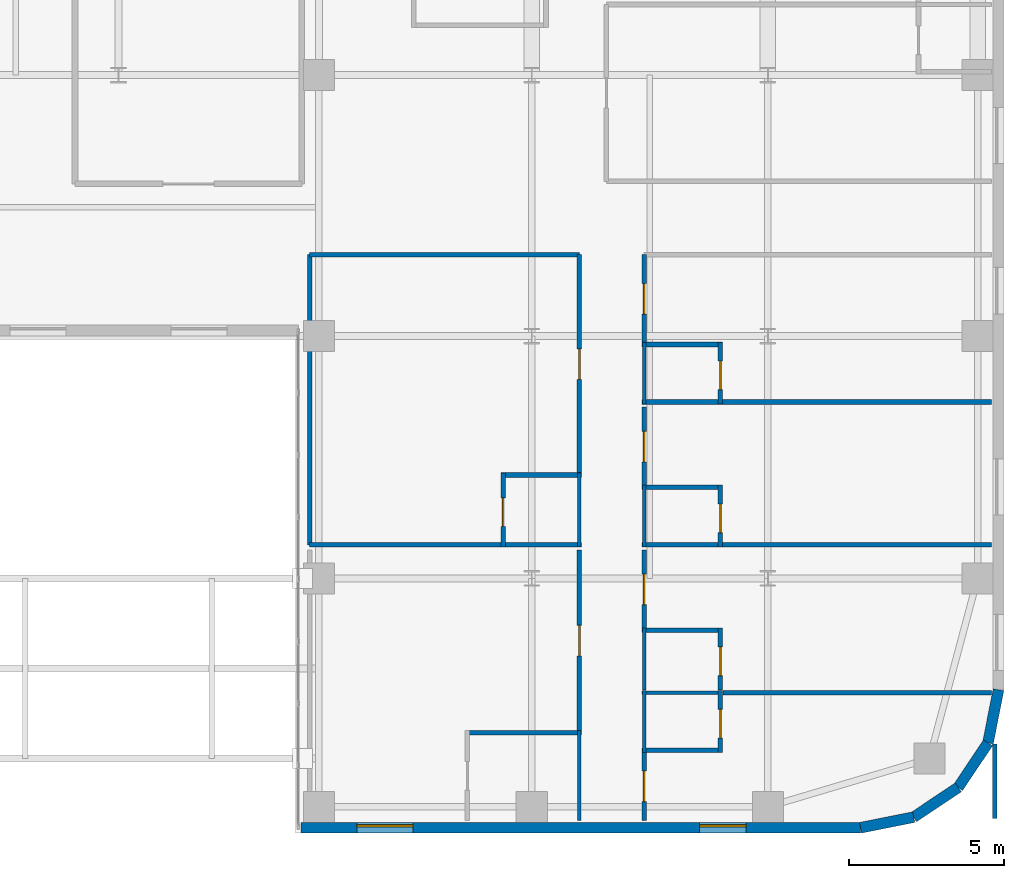
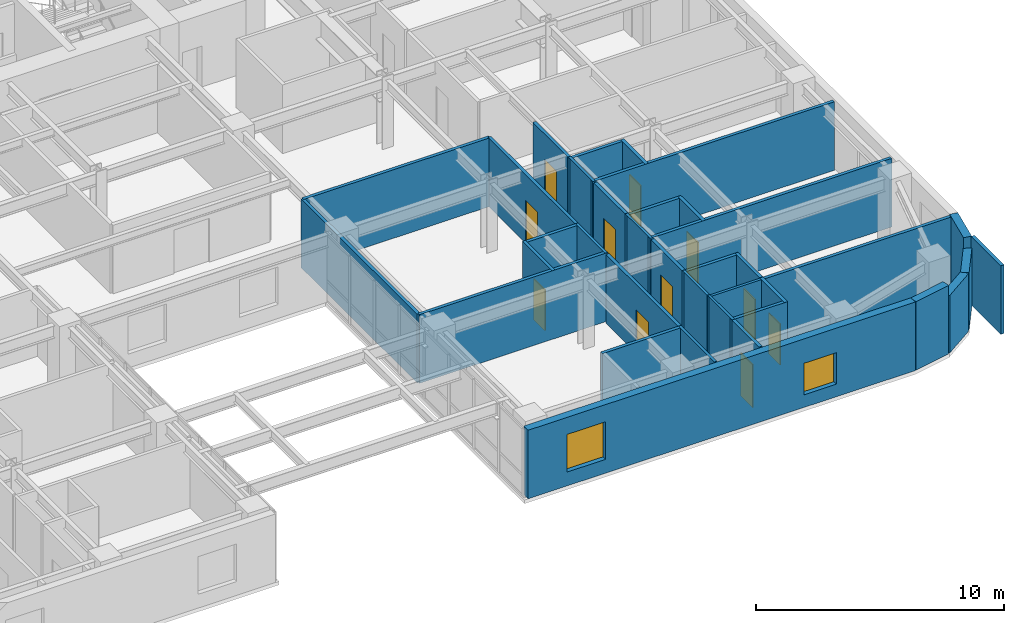
# One storey, part 12 of 16: 36 walls, 11 doors, 2 windows, 13 openings.
"""IFC4 building model written with IfcOpenShell, lengths in metres."""

from ifc_helpers import new_model, si_unit, direction, frame, frame_2d, origin, place, context, subcontext, project, spatial, rectangle, extrude, source, transform, mapped, material, layer, layer_set, type_object, type_shapes, element, fill, save


model = new_model("IFC4")

# Units and contexts
model_context = context("Model", 3, precision=1e-05, world=origin(), true_north=direction((0.0, 1.0)))
body_context = subcontext(model_context, "Body", "Model", "MODEL_VIEW")
ifc_project = project(units=[si_unit("LENGTHUNIT", "METRE"), si_unit("AREAUNIT", "SQUARE_METRE"), si_unit("VOLUMEUNIT", "CUBIC_METRE"), si_unit("PLANEANGLEUNIT", "RADIAN"), si_unit("MASSUNIT", "GRAM", prefix="KILO")], contexts=[model_context])

# Site, building, storey
site_placement = place(None, origin())
site = spatial("IfcSite", under=ifc_project, at=site_placement, CompositionType="ELEMENT")
building_placement = place(site_placement, origin())
building = spatial("IfcBuilding", under=site, at=building_placement, Name="Tolvann Quenvar Hotel", CompositionType="ELEMENT")
storey_placement = place(building_placement, frame((0.0, 0.0, 71.050048828125)))
storey = spatial("IfcBuildingStorey", under=building, at=storey_placement, Name="L17", CompositionType="ELEMENT", Elevation=71.050048828125)

# Wall, openings, windows
ifc_material_1 = material(Name="Kiln-fired red and buff architectural clay brickwork and terracotta masonry", Category="masonry")
ifc_layer_1 = layer(ifc_material_1, 0.35009765625)
ifc_layer_set_1 = layer_set([ifc_layer_1], Name="Kiln-fired red and buff architectural clay brickwork and terracotta masonry")
wall_type_1 = type_object("IfcWallType", Name="WALL_EXT_BRICK_350", PredefinedType="SOLIDWALL", material=ifc_layer_set_1)
wall_1_placement = place(storey_placement, frame((34.375, 0.175048828125, 0.0), z_axis=(0.0, 0.0, 1.0), x_axis=(1.0, 0.0, 0.0)))
wall_1 = element("IfcWall", 1, at=wall_1_placement, inside=storey, type_object=wall_type_1, Name="Exterior Chicago Brick Wall L17-E08", PredefinedType="SOLIDWALL", context=body_context, shape_type="SweptSolid", body=[
    extrude(rectangle(XDim=18.0078125, YDim=0.35009765625, at=frame_2d((9.00390625, 0.0))), origin(), (0.0, 0.0, 1.0), 3.369873046875),
])
opening_1_placement = place(wall_1_placement, frame((1.801025390625, 0.0, 0.679931640625)))
opening_1 = element("IfcOpeningElement", 2, at=opening_1_placement, cuts=wall_1, Name="Opening W-03", PredefinedType="OPENING", context=body_context, shape_type="SweptSolid", body=[
    extrude(rectangle(XDim=1.800048828125, YDim=1.85009765625, at=frame_2d((0.89990234375, 0.925048828125))), frame((0.0, 0.18505859375, 0.0), z_axis=(0.0, -1.0, 0.0), x_axis=(1.0, 0.0, 0.0)), (0.0, 0.0, 1.0), 0.3701171875),
])
opening_2_placement = place(wall_1_placement, frame((12.824951171875, 0.0, 0.6201171875)))
opening_2 = element("IfcOpeningElement", 3, at=opening_2_placement, cuts=wall_1, Name="Opening W-08", PredefinedType="OPENING", context=body_context, shape_type="SweptSolid", body=[
    extrude(rectangle(XDim=1.5, YDim=1.550048828125, at=frame_2d((0.75, 0.77490234375))), frame((0.0, 0.18505859375, 0.0), z_axis=(0.0, -1.0, 0.0), x_axis=(1.0, 0.0, 0.0)), (0.0, 0.0, 1.0), 0.3701171875),
])
ifc_material_2 = material(Name="Thermally broken bronze-anodised aluminium frame with double low-E glazing", Category="aluminium")
window_type_1 = type_object("IfcWindowType", Name="WIN_COR_1500x2050", PartitioningType="SINGLE_PANEL", PredefinedType="WINDOW", material=ifc_material_2)
shared_shape_1 = source(origin(), body_context, "Body", "SweptSolid", [
    extrude(rectangle(XDim=1.5, YDim=1.550048828125, at=frame_2d((0.75, 0.77490234375))), frame((0.0, 0.090087890625, 0.0), z_axis=(0.0, -1.0, 0.0), x_axis=(1.0, 0.0, 0.0)), (0.0, 0.0, 1.0), 0.06005859375),
])
type_shapes(window_type_1, [shared_shape_1])
window_1_placement = place(opening_2_placement, origin())
window_1 = element("IfcWindow", 4, at=window_1_placement, inside=storey, type_object=window_type_1, Name="Chicago Window W-08 (EW-L17-E08-WD02)", OverallHeight=1.550048828125, OverallWidth=1.5, PartitioningType="SINGLE_PANEL", PredefinedType="WINDOW", context=body_context, shape_type="MappedRepresentation", body=[
    mapped(shared_shape_1, transform((0.0, 0.0, 0.0), x_axis=(1.0, 0.0, 0.0), y_axis=(0.0, 1.0, 0.0), z_axis=(0.0, 0.0, 1.0), scale=1.0)),
])
fill(opening_2, window_1)
window_type_2 = type_object("IfcWindowType", Name="WIN_CHI_1800x2050", PartitioningType="TRIPLE_PANEL_HORIZONTAL", PredefinedType="WINDOW", material=ifc_material_2)
shared_shape_2 = source(origin(), body_context, "Body", "SweptSolid", [
    extrude(rectangle(XDim=1.800048828125, YDim=1.85009765625, at=frame_2d((0.89990234375, 0.925048828125))), frame((0.0, 0.090087890625, 0.0), z_axis=(0.0, -1.0, 0.0), x_axis=(1.0, 0.0, 0.0)), (0.0, 0.0, 1.0), 0.06005859375),
])
type_shapes(window_type_2, [shared_shape_2])
window_2_placement = place(opening_1_placement, origin())
window_2 = element("IfcWindow", 5, at=window_2_placement, inside=storey, type_object=window_type_2, Name="Chicago Window W-03 (EW-L17-E08-W01)", OverallHeight=1.85009765625, OverallWidth=1.800048828125, PartitioningType="TRIPLE_PANEL_HORIZONTAL", PredefinedType="WINDOW", context=body_context, shape_type="MappedRepresentation", body=[
    mapped(shared_shape_2, transform((0.0, 0.0, 0.0), x_axis=(1.0, 0.0, 0.0), y_axis=(0.0, 1.0, 0.0), z_axis=(0.0, 0.0, 1.0), scale=1.0)),
])
fill(opening_1, window_2)

# Walls
wall_2_placement = place(storey_placement, frame((52.3828125, 0.175048828125, 0.0), z_axis=(0.0, 0.0, 1.0), x_axis=(0.980800971659, 0.195011420161, 0.0)))
element("IfcWall", 6, at=wall_2_placement, inside=storey, type_object=wall_type_1, Name="Exterior Chicago Brick Wall L17-E09", PredefinedType="SOLIDWALL", context=body_context, shape_type="SweptSolid", body=[
    extrude(rectangle(XDim=1.74267578125, YDim=0.35009765625, at=frame_2d((0.871337890625, 0.0))), origin(), (0.0, 0.0, 1.0), 3.369873046875),
])
for number, where, z_axis, x_axis, name in (
    (7, (54.092041015625, 0.514892578125, 0.0), (0.0, 0.0, 1.0), (0.831483840845, 0.55554893791, 0.0), "Exterior Chicago Brick Wall L17-E10"),
    (8, (55.526611328125, 1.473388671875, 0.0), (0.0, 0.0, 1.0), (0.55554893791, 0.831483840845, 0.0), "Exterior Chicago Brick Wall L17-E11"),
):
    element("IfcWall", number, at=place(storey_placement, frame(where, z_axis=z_axis, x_axis=x_axis)), inside=storey, type_object=wall_type_1, Name=name, PredefinedType="SOLIDWALL", context=body_context, shape_type="SweptSolid", body=[
        extrude(rectangle(XDim=1.725341796875, YDim=0.35009765625, at=frame_2d((0.86279296875, 0.0))), origin(), (0.0, 0.0, 1.0), 2.83203125),
    ])
wall_3_placement = place(storey_placement, frame((56.485107421875, 2.907958984375, 0.0), z_axis=(0.0, 0.0, 1.0), x_axis=(0.195011420161, 0.980800971659, 0.0)))
element("IfcWall", 9, at=wall_3_placement, inside=storey, type_object=wall_type_1, Name="Exterior Chicago Brick Wall L17-E12", PredefinedType="SOLIDWALL", context=body_context, shape_type="SweptSolid", body=[
    extrude(rectangle(XDim=1.74267578125, YDim=0.35009765625, at=frame_2d((0.871337890625, 0.0))), origin(), (0.0, 0.0, 1.0), 3.369873046875),
])
ifc_material_3 = material(Name="Moisture-resistant acoustic plumbing wall assembly")
ifc_layer_2 = layer(ifc_material_3, 0.1201171875)
ifc_layer_set_2 = layer_set([ifc_layer_2], Name="Moisture-resistant acoustic plumbing wall assembly")
wall_type_2 = type_object("IfcWallType", Name="WALL_PART_BATH_120", PredefinedType="PLUMBINGWALL", material=ifc_layer_set_2)
wall_4_placement = place(storey_placement, frame((43.330078125, 0.405029296875, 0.0), z_axis=(0.0, 0.0, 1.0), x_axis=(0.0, 1.0, 0.0)))
element("IfcWall", 10, at=wall_4_placement, inside=storey, type_object=wall_type_2, Name="Non-Rated Plumbing Partition PT-SPC-L17-ENS-EI01-E", PredefinedType="PLUMBINGWALL", context=body_context, shape_type="SweptSolid", body=[
    extrude(rectangle(XDim=2.89501953125, YDim=0.1201171875, at=frame_2d((1.447509765625, 0.0))), origin(), (0.0, 0.0, 1.0), 3.369873046875),
])
wall_5_placement = place(storey_placement, frame((43.330078125, 9.2099609375, 0.0), z_axis=(0.0, 0.0, 1.0), x_axis=(0.0, 1.0, 0.0)))
element("IfcWall", 11, at=wall_5_placement, inside=storey, type_object=wall_type_2, Name="Non-Rated Plumbing Partition PT-SPC-L17-ENS-EI02-E", PredefinedType="PLUMBINGWALL", context=body_context, shape_type="SweptSolid", body=[
    extrude(rectangle(XDim=2.39013671875, YDim=0.1201171875, at=frame_2d((1.195068359375, 0.0))), origin(), (0.0, 0.0, 1.0), 3.369873046875),
])
wall_6_placement = place(storey_placement, frame((45.35009765625, 4.52001953125, 0.0), z_axis=(0.0, 0.0, 1.0), x_axis=(1.0, 0.0, 0.0)))
element("IfcWall", 12, at=wall_6_placement, inside=storey, type_object=wall_type_2, Name="Non-Rated Plumbing Partition PT-SPC-L17-ENS-EO01-N", PredefinedType="PLUMBINGWALL", context=body_context, shape_type="SweptSolid", body=[
    extrude(rectangle(XDim=2.58984375, YDim=0.1201171875, at=frame_2d((1.294921875, 0.0))), origin(), (0.0, 0.0, 1.0), 3.369873046875),
])
for number, where, z_axis, x_axis, name in (
    (13, (45.419921875, 2.60009765625, 0.0), (0.0, 0.0, 1.0), (0.0, 1.0, 0.0), "Non-Rated Plumbing Partition PT-SPC-L17-ENS-EO01-W"),
    (14, (45.419921875, 4.610107421875, 0.0), (0.0, 0.0, 1.0), (0.0, 1.0, 0.0), "Non-Rated Plumbing Partition PT-SPC-L17-ENS-EO02-W"),
    (15, (45.419921875, 9.2099609375, 0.0), (0.0, 0.0, 1.0), (0.0, 1.0, 0.0), "Non-Rated Plumbing Partition PT-SPC-L17-ENS-EO03-W"),
    (16, (45.419921875, 13.81005859375, 0.0), (0.0, 0.0, 1.0), (0.0, 1.0, 0.0), "Non-Rated Plumbing Partition PT-SPC-L17-ENS-EO04-W"),
):
    element("IfcWall", number, at=place(storey_placement, frame(where, z_axis=z_axis, x_axis=x_axis)), inside=storey, type_object=wall_type_2, Name=name, PredefinedType="PLUMBINGWALL", context=body_context, shape_type="SweptSolid", body=[
        extrude(rectangle(XDim=1.989990234375, YDim=0.1201171875, at=frame_2d((0.9951171875, 0.0))), origin(), (0.0, 0.0, 1.0), 3.369873046875),
    ])
ifc_material_4 = material(Name="Acoustic twin-stud fire-rated gypsum plasterboard partition")
ifc_layer_3 = layer(ifc_material_4, 0.14990234375)
ifc_layer_set_3 = layer_set([ifc_layer_3], Name="Acoustic twin-stud fire-rated gypsum plasterboard partition")
wall_type_3 = type_object("IfcWallType", Name="WALL_PART_SUITE_150", PredefinedType="PARTITIONING", material=ifc_layer_set_3)
wall_7_placement = place(storey_placement, frame((39.659912109375, 3.22998046875, 0.0), z_axis=(0.0, 0.0, 1.0), x_axis=(1.0, 0.0, 0.0)))
element("IfcWall", 17, at=wall_7_placement, inside=storey, type_object=wall_type_3, Name="Interior Partition PT-SPC-L17-ENS-EI01-N", PredefinedType="PARTITIONING", context=body_context, shape_type="SweptSolid", body=[
    extrude(rectangle(XDim=3.739990234375, YDim=0.14990234375, at=frame_2d((1.8701171875, 0.0))), origin(), (0.0, 0.0, 1.0), 3.369873046875),
])

# Wall, opening, door
wall_8_placement = place(storey_placement, frame((40.8798828125, 9.2099609375, 0.0), z_axis=(0.0, 0.0, 1.0), x_axis=(0.0, 1.0, 0.0)))
wall_8 = element("IfcWall", 18, at=wall_8_placement, inside=storey, type_object=wall_type_3, Name="Interior Partition PT-SPC-L17-ENS-EI02-ENT", PredefinedType="PARTITIONING", context=body_context, shape_type="SweptSolid", body=[
    extrude(rectangle(XDim=2.39013671875, YDim=0.14990234375, at=frame_2d((1.195068359375, 0.0))), origin(), (0.0, 0.0, 1.0), 3.369873046875),
])
opening_3_placement = place(wall_8_placement, frame((0.6650390625, 0.0, 0.0)))
opening_3 = element("IfcOpeningElement", 19, at=opening_3_placement, cuts=wall_8, Name="Opening WD-01", PredefinedType="OPENING", context=body_context, shape_type="SweptSolid", body=[
    extrude(rectangle(XDim=0.919921875, YDim=2.010009765625, at=frame_2d((0.4599609375, 1.0048828125))), frame((0.0, 0.0849609375, 0.0), z_axis=(0.0, -1.0, 0.0), x_axis=(1.0, 0.0, 0.0)), (0.0, 0.0, 1.0), 0.169921875),
])
ifc_material_5 = material(Name="Solid-core American oak acoustic fire door leaf in steel frame", Category="steel")
door_type_1 = type_object("IfcDoorType", Name="DOOR_WC_920", OperationType="NOTDEFINED", PredefinedType="DOOR", material=ifc_material_5)
shared_shape_3 = source(origin(), body_context, "Body", "SweptSolid", [
    extrude(rectangle(XDim=0.919921875, YDim=2.010009765625, at=frame_2d((0.4599609375, 1.0048828125))), frame((0.0, 0.02490234375, 0.0), z_axis=(0.0, -1.0, 0.0), x_axis=(1.0, 0.0, 0.0)), (0.0, 0.0, 1.0), 0.050048828125),
])
type_shapes(door_type_1, [shared_shape_3])
door_1_placement = place(opening_3_placement, origin())
door_1 = element("IfcDoor", 20, at=door_1_placement, inside=storey, type_object=door_type_1, Name="Interior Door DOOR-SPC-L17-ENS-EI02", OperationType="SINGLE_SWING_RIGHT", OverallHeight=2.010009765625, OverallWidth=0.919921875, PredefinedType="DOOR", context=body_context, shape_type="MappedRepresentation", body=[
    mapped(shared_shape_3, transform((0.0, 0.0, 0.0), x_axis=(1.0, 0.0, 0.0), y_axis=(0.0, 1.0, 0.0), z_axis=(0.0, 0.0, 1.0), scale=1.0)),
])
fill(opening_3, door_1)

# Walls
wall_9_placement = place(storey_placement, frame((34.64990234375, 9.280029296875, 0.0), z_axis=(0.0, 0.0, 1.0), x_axis=(1.0, 0.0, 0.0)))
element("IfcWall", 21, at=wall_9_placement, inside=storey, type_object=wall_type_3, Name="Interior Partition PT-SPC-L17-ENS-EI02-S", PredefinedType="PARTITIONING", context=body_context, shape_type="SweptSolid", body=[
    extrude(rectangle(XDim=8.75, YDim=0.14990234375, at=frame_2d((4.375, 0.0))), origin(), (0.0, 0.0, 1.0), 3.369873046875),
])
wall_10_placement = place(storey_placement, frame((40.81005859375, 11.530029296875, 0.0), z_axis=(0.0, 0.0, 1.0), x_axis=(1.0, 0.0, 0.0)))
element("IfcWall", 22, at=wall_10_placement, inside=storey, type_object=wall_type_3, Name="Interior Partition PT-SPC-L17-ENS-EI02-N", PredefinedType="PARTITIONING", context=body_context, shape_type="SweptSolid", body=[
    extrude(rectangle(XDim=2.58984375, YDim=0.14990234375, at=frame_2d((1.294921875, 0.0))), origin(), (0.0, 0.0, 1.0), 3.369873046875),
])

# Wall, opening, door
wall_11_placement = place(storey_placement, frame((47.8701171875, 2.60009765625, 0.0), z_axis=(0.0, 0.0, 1.0), x_axis=(0.0, 1.0, 0.0)))
wall_11 = element("IfcWall", 23, at=wall_11_placement, inside=storey, type_object=wall_type_3, Name="Interior Partition PT-SPC-L17-ENS-EO01-ENT", PredefinedType="PARTITIONING", context=body_context, shape_type="SweptSolid", body=[
    extrude(rectangle(XDim=1.989990234375, YDim=0.14990234375, at=frame_2d((0.9951171875, 0.0))), origin(), (0.0, 0.0, 1.0), 3.369873046875),
])
opening_4_placement = place(wall_11_placement, frame((0.465087890625, 0.0, 0.0)))
opening_4 = element("IfcOpeningElement", 24, at=opening_4_placement, cuts=wall_11, Name="Opening WD-01", PredefinedType="OPENING", context=body_context, shape_type="SweptSolid", body=[
    extrude(rectangle(XDim=0.919921875, YDim=2.010009765625, at=frame_2d((0.4599609375, 1.0048828125))), frame((0.0, 0.0849609375, 0.0), z_axis=(0.0, -1.0, 0.0), x_axis=(1.0, 0.0, 0.0)), (0.0, 0.0, 1.0), 0.169921875),
])
door_2_placement = place(opening_4_placement, origin())
door_2 = element("IfcDoor", 25, at=door_2_placement, inside=storey, type_object=door_type_1, Name="Interior Door DOOR-SPC-L17-ENS-EO01", OperationType="SINGLE_SWING_LEFT", OverallHeight=2.010009765625, OverallWidth=0.919921875, PredefinedType="DOOR", context=body_context, shape_type="MappedRepresentation", body=[
    mapped(shared_shape_3, transform((0.0, 0.0, 0.0), x_axis=(1.0, 0.0, 0.0), y_axis=(0.0, 1.0, 0.0), z_axis=(0.0, 0.0, 1.0), scale=1.0)),
])
fill(opening_4, door_2)

# Wall
wall_12_placement = place(storey_placement, frame((45.35009765625, 2.669921875, 0.0), z_axis=(0.0, 0.0, 1.0), x_axis=(1.0, 0.0, 0.0)))
element("IfcWall", 26, at=wall_12_placement, inside=storey, type_object=wall_type_3, Name="Interior Partition PT-SPC-L17-ENS-EO01-S", PredefinedType="PARTITIONING", context=body_context, shape_type="SweptSolid", body=[
    extrude(rectangle(XDim=2.58984375, YDim=0.14990234375, at=frame_2d((1.294921875, 0.0))), origin(), (0.0, 0.0, 1.0), 3.369873046875),
])

# Wall, opening, door
wall_13_placement = place(storey_placement, frame((47.8701171875, 4.610107421875, 0.0), z_axis=(0.0, 0.0, 1.0), x_axis=(0.0, 1.0, 0.0)))
wall_13 = element("IfcWall", 27, at=wall_13_placement, inside=storey, type_object=wall_type_3, Name="Interior Partition PT-SPC-L17-ENS-EO02-ENT", PredefinedType="PARTITIONING", context=body_context, shape_type="SweptSolid", body=[
    extrude(rectangle(XDim=1.989990234375, YDim=0.14990234375, at=frame_2d((0.9951171875, 0.0))), origin(), (0.0, 0.0, 1.0), 3.369873046875),
])
opening_5_placement = place(wall_13_placement, frame((0.465087890625, 0.0, 0.0)))
opening_5 = element("IfcOpeningElement", 28, at=opening_5_placement, cuts=wall_13, Name="Opening WD-01", PredefinedType="OPENING", context=body_context, shape_type="SweptSolid", body=[
    extrude(rectangle(XDim=0.919921875, YDim=2.010009765625, at=frame_2d((0.4599609375, 1.0048828125))), frame((0.0, 0.0849609375, 0.0), z_axis=(0.0, -1.0, 0.0), x_axis=(1.0, 0.0, 0.0)), (0.0, 0.0, 1.0), 0.169921875),
])
door_3_placement = place(opening_5_placement, origin())
door_3 = element("IfcDoor", 29, at=door_3_placement, inside=storey, type_object=door_type_1, Name="Interior Door DOOR-SPC-L17-ENS-EO02", OperationType="SINGLE_SWING_RIGHT", OverallHeight=2.010009765625, OverallWidth=0.919921875, PredefinedType="DOOR", context=body_context, shape_type="MappedRepresentation", body=[
    mapped(shared_shape_3, transform((0.0, 0.0, 0.0), x_axis=(1.0, 0.0, 0.0), y_axis=(0.0, 1.0, 0.0), z_axis=(0.0, 0.0, 1.0), scale=1.0)),
])
fill(opening_5, door_3)

# Wall
wall_14_placement = place(storey_placement, frame((45.35009765625, 6.530029296875, 0.0), z_axis=(0.0, 0.0, 1.0), x_axis=(1.0, 0.0, 0.0)))
element("IfcWall", 30, at=wall_14_placement, inside=storey, type_object=wall_type_3, Name="Interior Partition PT-SPC-L17-ENS-EO02-N", PredefinedType="PARTITIONING", context=body_context, shape_type="SweptSolid", body=[
    extrude(rectangle(XDim=2.58984375, YDim=0.14990234375, at=frame_2d((1.294921875, 0.0))), origin(), (0.0, 0.0, 1.0), 3.369873046875),
])

# Wall, opening, door
wall_15_placement = place(storey_placement, frame((47.8701171875, 9.2099609375, 0.0), z_axis=(0.0, 0.0, 1.0), x_axis=(0.0, 1.0, 0.0)))
wall_15 = element("IfcWall", 31, at=wall_15_placement, inside=storey, type_object=wall_type_3, Name="Interior Partition PT-SPC-L17-ENS-EO03-ENT", PredefinedType="PARTITIONING", context=body_context, shape_type="SweptSolid", body=[
    extrude(rectangle(XDim=1.989990234375, YDim=0.14990234375, at=frame_2d((0.9951171875, 0.0))), origin(), (0.0, 0.0, 1.0), 3.369873046875),
])
opening_6_placement = place(wall_15_placement, frame((0.465087890625, 0.0, 0.0)))
opening_6 = element("IfcOpeningElement", 32, at=opening_6_placement, cuts=wall_15, Name="Opening WD-01", PredefinedType="OPENING", context=body_context, shape_type="SweptSolid", body=[
    extrude(rectangle(XDim=0.919921875, YDim=2.010009765625, at=frame_2d((0.4599609375, 1.0048828125))), frame((0.0, 0.0849609375, 0.0), z_axis=(0.0, -1.0, 0.0), x_axis=(1.0, 0.0, 0.0)), (0.0, 0.0, 1.0), 0.169921875),
])
door_4_placement = place(opening_6_placement, origin())
door_4 = element("IfcDoor", 33, at=door_4_placement, inside=storey, type_object=door_type_1, Name="Interior Door DOOR-SPC-L17-ENS-EO03", OperationType="SINGLE_SWING_LEFT", OverallHeight=2.010009765625, OverallWidth=0.919921875, PredefinedType="DOOR", context=body_context, shape_type="MappedRepresentation", body=[
    mapped(shared_shape_3, transform((0.0, 0.0, 0.0), x_axis=(1.0, 0.0, 0.0), y_axis=(0.0, 1.0, 0.0), z_axis=(0.0, 0.0, 1.0), scale=1.0)),
])
fill(opening_6, door_4)

# Walls
wall_16_placement = place(storey_placement, frame((45.35009765625, 9.280029296875, 0.0), z_axis=(0.0, 0.0, 1.0), x_axis=(1.0, 0.0, 0.0)))
element("IfcWall", 34, at=wall_16_placement, inside=storey, type_object=wall_type_3, Name="Interior Partition PT-SPC-L17-ENS-EO03-S", PredefinedType="PARTITIONING", context=body_context, shape_type="SweptSolid", body=[
    extrude(rectangle(XDim=11.244873046875, YDim=0.14990234375, at=frame_2d((5.62255859375, 0.0))), origin(), (0.0, 0.0, 1.0), 3.369873046875),
])
wall_17_placement = place(storey_placement, frame((45.35009765625, 11.1298828125, 0.0), z_axis=(0.0, 0.0, 1.0), x_axis=(1.0, 0.0, 0.0)))
element("IfcWall", 35, at=wall_17_placement, inside=storey, type_object=wall_type_3, Name="Interior Partition PT-SPC-L17-ENS-EO03-N", PredefinedType="PARTITIONING", context=body_context, shape_type="SweptSolid", body=[
    extrude(rectangle(XDim=2.58984375, YDim=0.14990234375, at=frame_2d((1.294921875, 0.0))), origin(), (0.0, 0.0, 1.0), 3.369873046875),
])

# Wall, opening, door
wall_18_placement = place(storey_placement, frame((47.8701171875, 13.81005859375, 0.0), z_axis=(0.0, 0.0, 1.0), x_axis=(0.0, 1.0, 0.0)))
wall_18 = element("IfcWall", 36, at=wall_18_placement, inside=storey, type_object=wall_type_3, Name="Interior Partition PT-SPC-L17-ENS-EO04-ENT", PredefinedType="PARTITIONING", context=body_context, shape_type="SweptSolid", body=[
    extrude(rectangle(XDim=1.989990234375, YDim=0.14990234375, at=frame_2d((0.9951171875, 0.0))), origin(), (0.0, 0.0, 1.0), 3.369873046875),
])
opening_7_placement = place(wall_18_placement, frame((0.465087890625, 0.0, 0.0)))
opening_7 = element("IfcOpeningElement", 37, at=opening_7_placement, cuts=wall_18, Name="Opening WD-01", PredefinedType="OPENING", context=body_context, shape_type="SweptSolid", body=[
    extrude(rectangle(XDim=0.919921875, YDim=2.010009765625, at=frame_2d((0.4599609375, 1.0048828125))), frame((0.0, 0.0849609375, 0.0), z_axis=(0.0, -1.0, 0.0), x_axis=(1.0, 0.0, 0.0)), (0.0, 0.0, 1.0), 0.169921875),
])
door_5_placement = place(opening_7_placement, origin())
door_5 = element("IfcDoor", 38, at=door_5_placement, inside=storey, type_object=door_type_1, Name="Interior Door DOOR-SPC-L17-ENS-EO04", OperationType="SINGLE_SWING_RIGHT", OverallHeight=2.010009765625, OverallWidth=0.919921875, PredefinedType="DOOR", context=body_context, shape_type="MappedRepresentation", body=[
    mapped(shared_shape_3, transform((0.0, 0.0, 0.0), x_axis=(1.0, 0.0, 0.0), y_axis=(0.0, 1.0, 0.0), z_axis=(0.0, 0.0, 1.0), scale=1.0)),
])
fill(opening_7, door_5)

# Walls
wall_19_placement = place(storey_placement, frame((45.35009765625, 13.8798828125, 0.0), z_axis=(0.0, 0.0, 1.0), x_axis=(1.0, 0.0, 0.0)))
element("IfcWall", 39, at=wall_19_placement, inside=storey, type_object=wall_type_3, Name="Interior Partition PT-SPC-L17-ENS-EO04-S", PredefinedType="PARTITIONING", context=body_context, shape_type="SweptSolid", body=[
    extrude(rectangle(XDim=11.244873046875, YDim=0.14990234375, at=frame_2d((5.62255859375, 0.0))), origin(), (0.0, 0.0, 1.0), 3.369873046875),
])
wall_20_placement = place(storey_placement, frame((45.35009765625, 15.72998046875, 0.0), z_axis=(0.0, 0.0, 1.0), x_axis=(1.0, 0.0, 0.0)))
element("IfcWall", 40, at=wall_20_placement, inside=storey, type_object=wall_type_3, Name="Interior Partition PT-SPC-L17-ENS-EO04-N", PredefinedType="PARTITIONING", context=body_context, shape_type="SweptSolid", body=[
    extrude(rectangle(XDim=2.58984375, YDim=0.14990234375, at=frame_2d((1.294921875, 0.0))), origin(), (0.0, 0.0, 1.0), 3.369873046875),
])

# Wall, opening, door
wall_21_placement = place(storey_placement, frame((43.330078125, 3.31005859375, 0.0), z_axis=(0.0, 0.0, 1.0), x_axis=(0.0, 1.0, 0.0)))
wall_21 = element("IfcWall", 41, at=wall_21_placement, inside=storey, type_object=wall_type_3, Name="Interior Partition PT-SPC-L17-RM-EI01-ENT", PredefinedType="PARTITIONING", context=body_context, shape_type="SweptSolid", body=[
    extrude(rectangle(XDim=5.81005859375, YDim=0.14990234375, at=frame_2d((2.905029296875, 0.0))), origin(), (0.0, 0.0, 1.0), 3.369873046875),
])
opening_8_placement = place(wall_21_placement, frame((2.39501953125, 0.0, 0.0)))
opening_8 = element("IfcOpeningElement", 42, at=opening_8_placement, cuts=wall_21, Name="Opening SD-01", PredefinedType="OPENING", context=body_context, shape_type="SweptSolid", body=[
    extrude(rectangle(XDim=0.97998046875, YDim=2.1201171875, at=frame_2d((0.489990234375, 1.06005859375))), frame((0.0, 0.0849609375, 0.0), z_axis=(0.0, -1.0, 0.0), x_axis=(1.0, 0.0, 0.0)), (0.0, 0.0, 1.0), 0.169921875),
])
door_type_2 = type_object("IfcDoorType", Name="DOOR_SUITE_980", OperationType="NOTDEFINED", PredefinedType="DOOR", material=ifc_material_5)
shared_shape_4 = source(origin(), body_context, "Body", "SweptSolid", [
    extrude(rectangle(XDim=0.97998046875, YDim=2.1201171875, at=frame_2d((0.489990234375, 1.06005859375))), frame((0.0, 0.02490234375, 0.0), z_axis=(0.0, -1.0, 0.0), x_axis=(1.0, 0.0, 0.0)), (0.0, 0.0, 1.0), 0.050048828125),
])
type_shapes(door_type_2, [shared_shape_4])
door_6_placement = place(opening_8_placement, origin())
door_6 = element("IfcDoor", 43, at=door_6_placement, inside=storey, type_object=door_type_2, Name="Interior Door DOOR-SPC-L17-RM-EI01", OperationType="SINGLE_SWING_LEFT", OverallHeight=2.1201171875, OverallWidth=0.97998046875, PredefinedType="DOOR", context=body_context, shape_type="MappedRepresentation", body=[
    mapped(shared_shape_4, transform((0.0, 0.0, 0.0), x_axis=(1.0, 0.0, 0.0), y_axis=(0.0, 1.0, 0.0), z_axis=(0.0, 0.0, 1.0), scale=1.0)),
])
fill(opening_8, door_6)

wall_22_placement = place(storey_placement, frame((43.330078125, 11.610107421875, 0.0), z_axis=(0.0, 0.0, 1.0), x_axis=(0.0, 1.0, 0.0)))
wall_22 = element("IfcWall", 44, at=wall_22_placement, inside=storey, type_object=wall_type_3, Name="Interior Partition PT-SPC-L17-RM-EI02-ENT", PredefinedType="PARTITIONING", context=body_context, shape_type="SweptSolid", body=[
    extrude(rectangle(XDim=7.010009765625, YDim=0.14990234375, at=frame_2d((3.5048828125, 0.0))), origin(), (0.0, 0.0, 1.0), 3.369873046875),
])
opening_9_placement = place(wall_22_placement, frame((2.9951171875, 0.0, 0.0)))
opening_9 = element("IfcOpeningElement", 45, at=opening_9_placement, cuts=wall_22, Name="Opening SD-01", PredefinedType="OPENING", context=body_context, shape_type="SweptSolid", body=[
    extrude(rectangle(XDim=0.97998046875, YDim=2.1201171875, at=frame_2d((0.489990234375, 1.06005859375))), frame((0.0, 0.0849609375, 0.0), z_axis=(0.0, -1.0, 0.0), x_axis=(1.0, 0.0, 0.0)), (0.0, 0.0, 1.0), 0.169921875),
])
door_7_placement = place(opening_9_placement, origin())
door_7 = element("IfcDoor", 46, at=door_7_placement, inside=storey, type_object=door_type_2, Name="Interior Door DOOR-SPC-L17-RM-EI02", OperationType="SINGLE_SWING_RIGHT", OverallHeight=2.1201171875, OverallWidth=0.97998046875, PredefinedType="DOOR", context=body_context, shape_type="MappedRepresentation", body=[
    mapped(shared_shape_4, transform((0.0, 0.0, 0.0), x_axis=(1.0, 0.0, 0.0), y_axis=(0.0, 1.0, 0.0), z_axis=(0.0, 0.0, 1.0), scale=1.0)),
])
fill(opening_9, door_7)

# Walls
wall_23_placement = place(storey_placement, frame((34.64990234375, 18.6201171875, 0.0), z_axis=(0.0, 0.0, 1.0), x_axis=(1.0, 0.0, 0.0)))
element("IfcWall", 47, at=wall_23_placement, inside=storey, type_object=wall_type_3, Name="Interior Partition PT-SPC-L17-RM-EI02-E5", PredefinedType="PARTITIONING", context=body_context, shape_type="SweptSolid", body=[
    extrude(rectangle(XDim=8.68017578125, YDim=0.14990234375, at=frame_2d((4.340087890625, 0.0))), origin(), (0.0, 0.0, 1.0), 3.369873046875),
])
wall_24_placement = place(storey_placement, frame((34.64990234375, 9.280029296875, 0.0), z_axis=(0.0, 0.0, 1.0), x_axis=(0.0, 1.0, 0.0)))
element("IfcWall", 48, at=wall_24_placement, inside=storey, type_object=wall_type_3, Name="Interior Partition PT-SPC-L17-RM-EI02-E6", PredefinedType="PARTITIONING", context=body_context, shape_type="SweptSolid", body=[
    extrude(rectangle(XDim=9.340087890625, YDim=0.14990234375, at=frame_2d((4.669921875, 0.0))), origin(), (0.0, 0.0, 1.0), 3.369873046875),
])

# Wall, opening, door
wall_25_placement = place(storey_placement, frame((45.419921875, 0.405029296875, 0.0), z_axis=(0.0, 0.0, 1.0), x_axis=(0.0, 1.0, 0.0)))
wall_25 = element("IfcWall", 49, at=wall_25_placement, inside=storey, type_object=wall_type_3, Name="Interior Partition PT-SPC-L17-RM-EO01-ENT", PredefinedType="PARTITIONING", context=body_context, shape_type="SweptSolid", body=[
    extrude(rectangle(XDim=2.18505859375, YDim=0.14990234375, at=frame_2d((1.092529296875, 0.0))), origin(), (0.0, 0.0, 1.0), 3.369873046875),
])
opening_10_placement = place(wall_25_placement, frame((0.610107421875, 0.0, 0.0)))
opening_10 = element("IfcOpeningElement", 50, at=opening_10_placement, cuts=wall_25, Name="Opening SD-01", PredefinedType="OPENING", context=body_context, shape_type="SweptSolid", body=[
    extrude(rectangle(XDim=0.97998046875, YDim=2.1201171875, at=frame_2d((0.489990234375, 1.06005859375))), frame((0.0, 0.0849609375, 0.0), z_axis=(0.0, -1.0, 0.0), x_axis=(1.0, 0.0, 0.0)), (0.0, 0.0, 1.0), 0.169921875),
])
door_8_placement = place(opening_10_placement, origin())
door_8 = element("IfcDoor", 51, at=door_8_placement, inside=storey, type_object=door_type_2, Name="Interior Door DOOR-SPC-L17-RM-EO01", OperationType="SINGLE_SWING_LEFT", OverallHeight=2.1201171875, OverallWidth=0.97998046875, PredefinedType="DOOR", context=body_context, shape_type="MappedRepresentation", body=[
    mapped(shared_shape_4, transform((0.0, 0.0, 0.0), x_axis=(1.0, 0.0, 0.0), y_axis=(0.0, 1.0, 0.0), z_axis=(0.0, 0.0, 1.0), scale=1.0)),
])
fill(opening_10, door_8)

# Walls
wall_26_placement = place(storey_placement, frame((56.699951171875, 0.47998046875, 0.0), z_axis=(0.0, 0.0, 1.0), x_axis=(0.0, 1.0, 0.0)))
element("IfcWall", 52, at=wall_26_placement, inside=storey, type_object=wall_type_3, Name="Interior Partition PT-SPC-L17-RM-EO01-E2", PredefinedType="PARTITIONING", context=body_context, shape_type="SweptSolid", body=[
    extrude(rectangle(XDim=2.385009765625, YDim=0.14990234375, at=frame_2d((1.1923828125, 0.0))), origin(), (0.0, 0.0, 1.0), 3.369873046875),
])
wall_27_placement = place(storey_placement, frame((47.949951171875, 4.52001953125, 0.0), z_axis=(0.0, 0.0, 1.0), x_axis=(1.0, 0.0, 0.0)))
element("IfcWall", 53, at=wall_27_placement, inside=storey, type_object=wall_type_3, Name="Interior Partition PT-SPC-L17-RM-EO01-E3", PredefinedType="PARTITIONING", context=body_context, shape_type="SweptSolid", body=[
    extrude(rectangle(XDim=8.64501953125, YDim=0.14990234375, at=frame_2d((4.322509765625, 0.0))), origin(), (0.0, 0.0, 1.0), 3.369873046875),
])

# Wall, opening, door
wall_28_placement = place(storey_placement, frame((45.419921875, 6.610107421875, 0.0), z_axis=(0.0, 0.0, 1.0), x_axis=(0.0, 1.0, 0.0)))
wall_28 = element("IfcWall", 54, at=wall_28_placement, inside=storey, type_object=wall_type_3, Name="Interior Partition PT-SPC-L17-RM-EO02-ENT", PredefinedType="PARTITIONING", context=body_context, shape_type="SweptSolid", body=[
    extrude(rectangle(XDim=2.510009765625, YDim=0.14990234375, at=frame_2d((1.2548828125, 0.0))), origin(), (0.0, 0.0, 1.0), 3.369873046875),
])
opening_11_placement = place(wall_28_placement, frame((0.7451171875, 0.0, 0.0)))
opening_11 = element("IfcOpeningElement", 55, at=opening_11_placement, cuts=wall_28, Name="Opening SD-01", PredefinedType="OPENING", context=body_context, shape_type="SweptSolid", body=[
    extrude(rectangle(XDim=0.97998046875, YDim=2.1201171875, at=frame_2d((0.489990234375, 1.06005859375))), frame((0.0, 0.0849609375, 0.0), z_axis=(0.0, -1.0, 0.0), x_axis=(1.0, 0.0, 0.0)), (0.0, 0.0, 1.0), 0.169921875),
])
door_9_placement = place(opening_11_placement, origin())
door_9 = element("IfcDoor", 56, at=door_9_placement, inside=storey, type_object=door_type_2, Name="Interior Door DOOR-SPC-L17-RM-EO02", OperationType="SINGLE_SWING_RIGHT", OverallHeight=2.1201171875, OverallWidth=0.97998046875, PredefinedType="DOOR", context=body_context, shape_type="MappedRepresentation", body=[
    mapped(shared_shape_4, transform((0.0, 0.0, 0.0), x_axis=(1.0, 0.0, 0.0), y_axis=(0.0, 1.0, 0.0), z_axis=(0.0, 0.0, 1.0), scale=1.0)),
])
fill(opening_11, door_9)

wall_29_placement = place(storey_placement, frame((45.419921875, 11.2099609375, 0.0), z_axis=(0.0, 0.0, 1.0), x_axis=(0.0, 1.0, 0.0)))
wall_29 = element("IfcWall", 57, at=wall_29_placement, inside=storey, type_object=wall_type_3, Name="Interior Partition PT-SPC-L17-RM-EO03-ENT", PredefinedType="PARTITIONING", context=body_context, shape_type="SweptSolid", body=[
    extrude(rectangle(XDim=2.510009765625, YDim=0.14990234375, at=frame_2d((1.2548828125, 0.0))), origin(), (0.0, 0.0, 1.0), 3.369873046875),
])
opening_12_placement = place(wall_29_placement, frame((0.7451171875, 0.0, 0.0)))
opening_12 = element("IfcOpeningElement", 58, at=opening_12_placement, cuts=wall_29, Name="Opening SD-01", PredefinedType="OPENING", context=body_context, shape_type="SweptSolid", body=[
    extrude(rectangle(XDim=0.97998046875, YDim=2.1201171875, at=frame_2d((0.489990234375, 1.06005859375))), frame((0.0, 0.0849609375, 0.0), z_axis=(0.0, -1.0, 0.0), x_axis=(1.0, 0.0, 0.0)), (0.0, 0.0, 1.0), 0.169921875),
])
door_10_placement = place(opening_12_placement, origin())
door_10 = element("IfcDoor", 59, at=door_10_placement, inside=storey, type_object=door_type_2, Name="Interior Door DOOR-SPC-L17-RM-EO03", OperationType="SINGLE_SWING_LEFT", OverallHeight=2.1201171875, OverallWidth=0.97998046875, PredefinedType="DOOR", context=body_context, shape_type="MappedRepresentation", body=[
    mapped(shared_shape_4, transform((0.0, 0.0, 0.0), x_axis=(1.0, 0.0, 0.0), y_axis=(0.0, 1.0, 0.0), z_axis=(0.0, 0.0, 1.0), scale=1.0)),
])
fill(opening_12, door_10)

wall_30_placement = place(storey_placement, frame((45.419921875, 15.81005859375, 0.0), z_axis=(0.0, 0.0, 1.0), x_axis=(0.0, 1.0, 0.0)))
wall_30 = element("IfcWall", 60, at=wall_30_placement, inside=storey, type_object=wall_type_3, Name="Interior Partition PT-SPC-L17-RM-EO04-ENT", PredefinedType="PARTITIONING", context=body_context, shape_type="SweptSolid", body=[
    extrude(rectangle(XDim=2.81005859375, YDim=0.14990234375, at=frame_2d((1.405029296875, 0.0))), origin(), (0.0, 0.0, 1.0), 3.369873046875),
])
opening_13_placement = place(wall_30_placement, frame((0.89501953125, 0.0, 0.0)))
opening_13 = element("IfcOpeningElement", 61, at=opening_13_placement, cuts=wall_30, Name="Opening SD-01", PredefinedType="OPENING", context=body_context, shape_type="SweptSolid", body=[
    extrude(rectangle(XDim=0.97998046875, YDim=2.1201171875, at=frame_2d((0.489990234375, 1.06005859375))), frame((0.0, 0.0849609375, 0.0), z_axis=(0.0, -1.0, 0.0), x_axis=(1.0, 0.0, 0.0)), (0.0, 0.0, 1.0), 0.169921875),
])
door_11_placement = place(opening_13_placement, origin())
door_11 = element("IfcDoor", 62, at=door_11_placement, inside=storey, type_object=door_type_2, Name="Interior Door DOOR-SPC-L17-RM-EO04", OperationType="SINGLE_SWING_RIGHT", OverallHeight=2.1201171875, OverallWidth=0.97998046875, PredefinedType="DOOR", context=body_context, shape_type="MappedRepresentation", body=[
    mapped(shared_shape_4, transform((0.0, 0.0, 0.0), x_axis=(1.0, 0.0, 0.0), y_axis=(0.0, 1.0, 0.0), z_axis=(0.0, 0.0, 1.0), scale=1.0)),
])
fill(opening_13, door_11)

save(model, "model.ifc")
